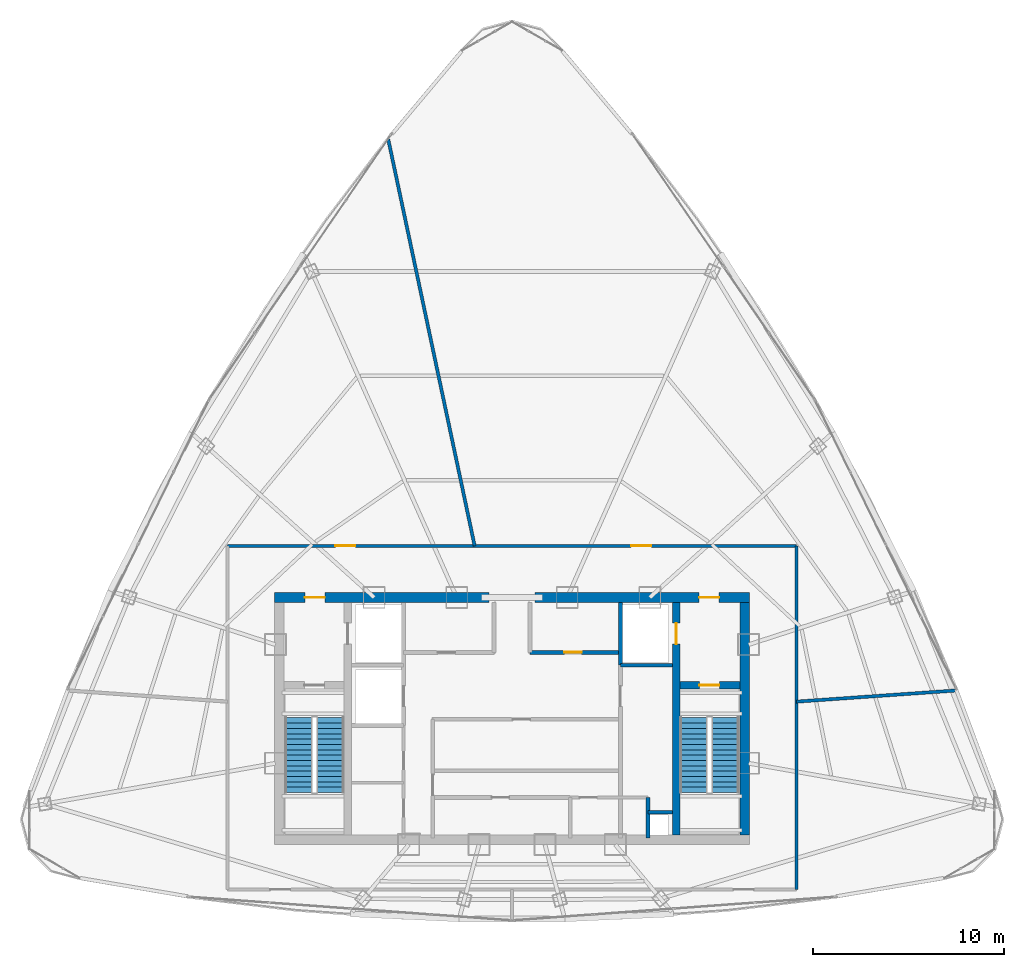
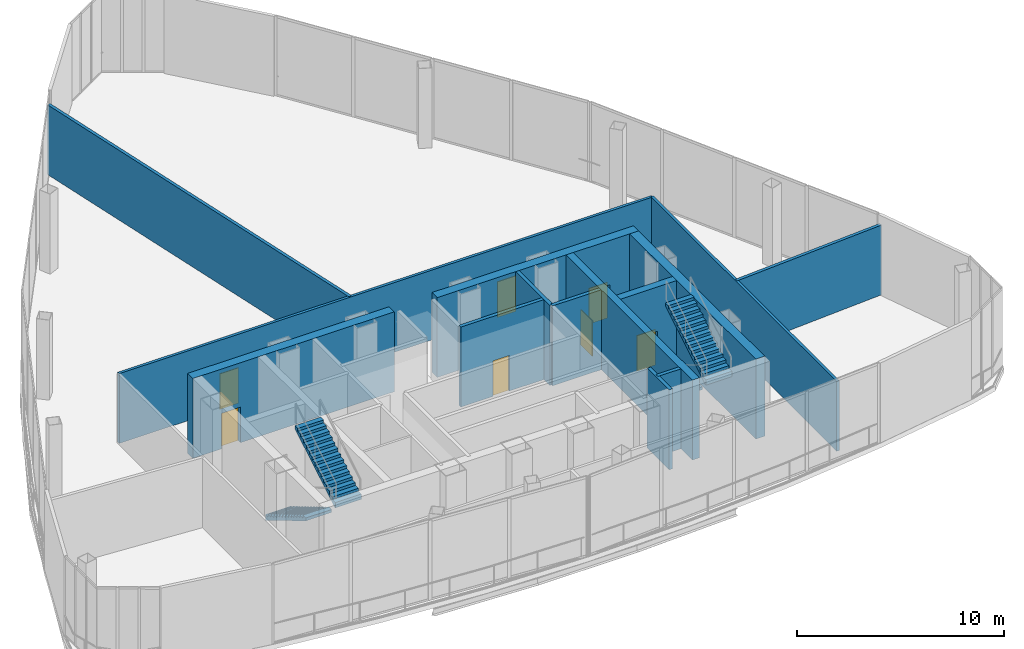
# One storey, part 30 of 33: 14 walls, 7 doors, 4 stair flights, 7 openings, 2 elements without a shape of their own.
"""IFC4 building model written with IfcOpenShell, lengths in metres."""

import ifcopenshell
import ifcopenshell.guid

model = None  # the IFC model being written
_history = None  # IfcOwnerHistory: only IFC2X3 demands one
_inside = {}  # id of a spatial element -> (the spatial element, [elements in it])
_under = {}  # id of a project, library or spatial element -> (it, [spatial elements below it])
_declared = {}  # id of a project -> (the project, [libraries it declares])
_typed = {}  # id of a type object -> (the type object, [elements of that type])
_made_of = {}  # id of a material, layer set ... -> (it, [elements and type objects made of it])


def new_model(schema):
    """Start an empty IFC model of exactly this schema.

    Asked for "IFC4X3", IfcOpenShell would pick the latest addendum, in which some entities
    have other attributes; the version numbers below select the first issue.
    IFC2X3 requires an IfcOwnerHistory on every rooted entity: one is made here for all.
    """
    global model, _history
    if schema == "IFC4X3":
        model = ifcopenshell.file(schema_version=(4, 3, 0, 0))
    else:
        model = ifcopenshell.file(schema=schema)
    _inside.clear()
    _under.clear()
    _declared.clear()
    _typed.clear()
    _made_of.clear()
    _history = None
    if model.schema == "IFC2X3":
        org = make("IfcOrganization", Name="unknown")
        user = make(
            "IfcPersonAndOrganization",
            ThePerson=make("IfcPerson", FamilyName="unknown"),
            TheOrganization=org,
        )
        app = make(
            "IfcApplication",
            ApplicationDeveloper=org,
            Version="unknown",
            ApplicationFullName="unknown",
            ApplicationIdentifier="unknown",
        )
        _history = make(
            "IfcOwnerHistory",
            OwningUser=user,
            OwningApplication=app,
            ChangeAction="ADDED",
            CreationDate=0,
        )
    return model


def make(cls, **values):
    """One entity of the class cls with the attributes given. An attribute that is None is left unset."""
    return model.create_entity(
        cls, **{name: value for name, value in values.items() if value is not None}
    )


def rooted(cls, **values):
    """An entity with a GlobalId (a new one), such as an element, a storey or a relation."""
    return make(cls, GlobalId=ifcopenshell.guid.new(), OwnerHistory=_history, **values)


def si_unit(unit_type, name, prefix=None):
    """IfcSIUnit, for example si_unit("LENGTHUNIT", "METRE", prefix="MILLI")."""
    return make("IfcSIUnit", UnitType=unit_type, Prefix=prefix, Name=name)


def assignment(units):
    """IfcUnitAssignment: the units of a project."""
    return None if units is None else make("IfcUnitAssignment", Units=units)


def point(xyz):
    """IfcCartesianPoint."""
    return None if xyz is None else make("IfcCartesianPoint", Coordinates=xyz)


def direction(xyz):
    """IfcDirection."""
    return None if xyz is None else make("IfcDirection", DirectionRatios=xyz)


def frame(location, z_axis=None, x_axis=None):
    """IfcAxis2Placement3D, a coordinate frame: its origin and axes. An axis left out is left unset."""
    return make(
        "IfcAxis2Placement3D",
        Location=point(location),
        Axis=direction(z_axis),
        RefDirection=direction(x_axis),
    )


def frame_2d(location, x_axis=None):
    """IfcAxis2Placement2D, a coordinate frame in the plane: its origin and x axis."""
    return make(
        "IfcAxis2Placement2D", Location=point(location), RefDirection=direction(x_axis)
    )


def origin():
    """The frame at (0, 0, 0) with its axes left unset."""
    return frame((0.0, 0.0, 0.0))


def origin_with_axes():
    """The frame at (0, 0, 0) with the z axis (0, 0, 1) and the x axis (1, 0, 0) written out."""
    return frame((0.0, 0.0, 0.0), z_axis=(0.0, 0.0, 1.0), x_axis=(1.0, 0.0, 0.0))


def place(relative_to, where):
    """IfcLocalPlacement: puts the frame where relative to a parent placement (None: the world)."""
    return make(
        "IfcLocalPlacement", PlacementRelTo=relative_to, RelativePlacement=where
    )


def context(
    kind, dimensions, precision=None, world=None, true_north=None, identifier=None
):
    """IfcGeometricRepresentationContext, for example the 3D "Model" context."""
    return make(
        "IfcGeometricRepresentationContext",
        ContextIdentifier=identifier,
        ContextType=kind,
        CoordinateSpaceDimension=dimensions,
        Precision=precision,
        WorldCoordinateSystem=world,
        TrueNorth=true_north,
    )


def subcontext(parent, identifier, kind, view, scale=None):
    """IfcGeometricRepresentationSubContext, for example "Body" below "Model"."""
    return make(
        "IfcGeometricRepresentationSubContext",
        ContextIdentifier=identifier,
        ContextType=kind,
        ParentContext=parent,
        TargetScale=scale,
        TargetView=view,
    )


def project(units=None, contexts=None):
    """IfcProject with its units and contexts."""
    return rooted(
        "IfcProject",
        Name="project",
        RepresentationContexts=contexts,
        UnitsInContext=assignment(units),
    )


def spatial(cls, under=None, at=None, **own):
    """A site, building, storey or space (cls), placed at a placement, below another one or the project."""
    s = rooted(cls, ObjectPlacement=at, **own)
    if under is not None:
        _under.setdefault(under.id(), (under, []))[1].append(s)
    return s


def polyline(points):
    """IfcPolyline through the points."""
    return make("IfcPolyline", Points=[point(p) for p in points])


def profile(cls, at=None, kind="AREA", **sizes):
    """A parametric profile (cls). Its sizes go by their IFC names, for example OverallWidth=200.0."""
    return make(cls, ProfileType=kind, Position=at, **sizes)


def rectangle(**sizes):
    """IfcRectangleProfileDef."""
    return profile("IfcRectangleProfileDef", **sizes)


def outline(outer, holes=None, kind="AREA"):
    """IfcArbitraryClosedProfileDef: a profile drawn as a closed curve; with holes, ...WithVoids."""
    if holes is None:
        return make("IfcArbitraryClosedProfileDef", ProfileType=kind, OuterCurve=outer)
    return make(
        "IfcArbitraryProfileDefWithVoids",
        ProfileType=kind,
        OuterCurve=outer,
        InnerCurves=holes,
    )


def extrude(swept, where, along, depth):
    """IfcExtrudedAreaSolid: the profile swept, set in the frame where, extruded along a direction by depth."""
    return make(
        "IfcExtrudedAreaSolid",
        SweptArea=swept,
        Position=where,
        ExtrudedDirection=direction(along),
        Depth=depth,
    )


def shape(context_of_items, identifier, shape_type, items):
    """IfcShapeRepresentation: the items that make up one representation, for example the "Body"."""
    return make(
        "IfcShapeRepresentation",
        ContextOfItems=context_of_items,
        RepresentationIdentifier=identifier,
        RepresentationType=shape_type,
        Items=items,
    )


def source(mapping_origin, context_of_items, identifier, shape_type, items):
    """IfcRepresentationMap: a shape defined once, which mapped items show again and again."""
    return make(
        "IfcRepresentationMap",
        MappingOrigin=mapping_origin,
        MappedRepresentation=shape(context_of_items, identifier, shape_type, items),
    )


def transform(
    local_origin,
    x_axis=None,
    y_axis=None,
    z_axis=None,
    scale=None,
    scale2=None,
    scale3=None,
    uniform=True,
):
    """IfcCartesianTransformationOperator3D, or its non-uniform kind. x_axis, y_axis, z_axis: its Axis1, 2, 3."""
    if uniform:
        return make(
            "IfcCartesianTransformationOperator3D",
            Axis1=direction(x_axis),
            Axis2=direction(y_axis),
            LocalOrigin=point(local_origin),
            Scale=scale,
            Axis3=direction(z_axis),
        )
    return make(
        "IfcCartesianTransformationOperator3DnonUniform",
        Axis1=direction(x_axis),
        Axis2=direction(y_axis),
        LocalOrigin=point(local_origin),
        Scale=scale,
        Axis3=direction(z_axis),
        Scale2=scale2,
        Scale3=scale3,
    )


def mapped(mapping_source, mapping_target):
    """IfcMappedItem: shows the shape of a source again, moved by a transform."""
    return make(
        "IfcMappedItem", MappingSource=mapping_source, MappingTarget=mapping_target
    )


def material(Name=None, Category=None):
    """IfcMaterial."""
    return make("IfcMaterial", Name=Name, Category=Category)


def layer(
    of_material, thickness, ventilated=None, Name=None, Category=None, Priority=None
):
    """IfcMaterialLayer: one layer of a wall or slab, of a material (None: an air gap)."""
    return make(
        "IfcMaterialLayer",
        Material=of_material,
        LayerThickness=thickness,
        IsVentilated=ventilated,
        Name=Name,
        Category=Category,
        Priority=Priority,
    )


def layer_set(layers, Name=None):
    """IfcMaterialLayerSet."""
    return make("IfcMaterialLayerSet", MaterialLayers=layers, LayerSetName=Name)


def made_of(thing, what):
    """Note that an element or type object is made of a material, layer set ...; save() writes the relation."""
    if what is not None:
        _made_of.setdefault(what.id(), (what, []))[1].append(thing)
    return thing


def type_object(cls, material=None, **own):
    """A type object (cls), such as IfcWallType, which elements share."""
    return made_of(rooted(cls, **own), material)


def element(
    cls,
    number,
    at=None,
    inside=None,
    cuts=None,
    type_object=None,
    material=None,
    context=None,
    identifier="Body",
    shape_type=None,
    held_by="IfcProductDefinitionShape",
    body=None,
    shapes=None,
    **own,
):
    """One element of the class cls, such as IfcWall. Its Tag is "e" and its number.

    at: its placement. inside: the storey or other place that contains it. cuts: it is an
    opening in that element (IfcRelVoidsElement). A single representation is given by context,
    identifier, shape_type and body (its items); several are given by shapes. held_by: the class
    of the entity that holds the representations. save() writes the other relations.
    """
    e = rooted(cls, Tag="e%d" % number, ObjectPlacement=at, **own)
    if body is not None:
        shapes = [shape(context, identifier, shape_type, body)]
    if shapes is not None:
        e.Representation = make(held_by, Representations=shapes)
    if inside is not None:
        _inside.setdefault(inside.id(), (inside, []))[1].append(e)
    if cuts is not None:
        rooted(
            "IfcRelVoidsElement", RelatingBuildingElement=cuts, RelatedOpeningElement=e
        )
    if type_object is not None:
        _typed.setdefault(type_object.id(), (type_object, []))[1].append(e)
    return made_of(e, material)


def fill(opening, filler):
    """IfcRelFillsElement: the door or window that sits in an opening."""
    return rooted(
        "IfcRelFillsElement",
        RelatingOpeningElement=opening,
        RelatedBuildingElement=filler,
    )


def aggregate(whole, parts):
    """IfcRelAggregates: a whole, such as a stair, and the parts it consists of."""
    return rooted("IfcRelAggregates", RelatingObject=whole, RelatedObjects=parts)


def save(model, path):
    """Write the relations noted so far, then the file.

    IfcRelAggregates (storeys below a building ...), IfcRelContainedInSpatialStructure (elements
    in a storey), IfcRelDefinesByType, IfcRelAssociatesMaterial and IfcRelDeclares: one each for
    every whole, place, type object, material and project.
    """
    for whole, parts in _under.values():
        aggregate(whole, parts)
    for where, things in _inside.values():
        rooted(
            "IfcRelContainedInSpatialStructure",
            RelatedElements=things,
            RelatingStructure=where,
        )
    for kind, things in _typed.values():
        rooted("IfcRelDefinesByType", RelatedObjects=things, RelatingType=kind)
    for what, things in _made_of.values():
        rooted("IfcRelAssociatesMaterial", RelatedObjects=things, RelatingMaterial=what)
    for by, libraries in _declared.values():
        rooted("IfcRelDeclares", RelatingContext=by, RelatedDefinitions=libraries)
    model.write(path)


model = new_model("IFC4")

# Units and contexts
model_context = context("Model", 3, precision=1e-05, world=origin(), true_north=direction((0.0, 1.0)))
body_context = subcontext(model_context, "Body", "Model", "MODEL_VIEW")
ifc_project = project(units=[si_unit("LENGTHUNIT", "METRE"), si_unit("AREAUNIT", "SQUARE_METRE"), si_unit("VOLUMEUNIT", "CUBIC_METRE"), si_unit("PLANEANGLEUNIT", "RADIAN"), si_unit("MASSUNIT", "GRAM", prefix="KILO"), si_unit("THERMODYNAMICTEMPERATUREUNIT", "KELVIN"), si_unit("POWERUNIT", "WATT")], contexts=[model_context])

# Site, building, storey
site_placement = place(None, origin())
site = spatial("IfcSite", under=ifc_project, at=site_placement, CompositionType="ELEMENT")
building_placement = place(site_placement, origin())
building = spatial("IfcBuilding", under=site, at=building_placement, Name="Yunzhuo Pagoda Commons", CompositionType="ELEMENT")
storey_placement = place(building_placement, frame((0.0, 0.0, 386.760009765625)))
storey = spatial("IfcBuildingStorey", under=building, at=storey_placement, Name="L96", CompositionType="ELEMENT", Elevation=386.760009765625)

# Wall, opening, door
ifc_material_1 = material(Name="Concrete C50", Category="concrete")
ifc_layer_1 = layer(ifc_material_1, 0.5)
ifc_layer_set_1 = layer_set([ifc_layer_1], Name="Concrete C50")
wall_type_1 = type_object("IfcWallType", Name="W-C03 Upper Core Shear Wall 500", PredefinedType="SHEAR", material=ifc_layer_set_1)
wall_1_placement = place(storey_placement, frame((35.550048828125, 40.199951171875, 0.0), z_axis=(0.0, 0.0, 1.0), x_axis=(1.0, 0.0, 0.0)))
wall_1 = element("IfcWall", 1, at=wall_1_placement, inside=storey, type_object=wall_type_1, Name="L96 core shear wall NW", PredefinedType="SHEAR", context=body_context, shape_type="SweptSolid", body=[
    extrude(rectangle(XDim=11.25, YDim=0.5, at=frame_2d((5.625, 0.0))), origin(), (0.0, 0.0, 1.0), 4.719970703125),
])
opening_1_placement = place(wall_1_placement, frame((1.60009765625, 0.0, 0.0)))
opening_1 = element("IfcOpeningElement", 2, at=opening_1_placement, cuts=wall_1, Name="Opening D-02", PredefinedType="OPENING", context=body_context, shape_type="SweptSolid", body=[
    extrude(rectangle(XDim=1.050048828125, YDim=2.10009765625, at=frame_2d((0.52490234375, 1.050048828125))), frame((0.0, 0.260009765625, 0.0), z_axis=(0.0, -1.0, 0.0), x_axis=(1.0, 0.0, 0.0)), (0.0, 0.0, 1.0), 0.52001953125),
])
ifc_material_2 = material(Name="Galvanized fire-resisting metal leaf")
door_type_1 = type_object("IfcDoorType", Name="D-02 Firefighting Lobby & Refuge Fire Door 1050x2100", OperationType="NOTDEFINED", PredefinedType="DOOR", material=ifc_material_2)
shared_shape_1 = source(origin(), body_context, "Body", "SweptSolid", [
    extrude(rectangle(XDim=1.050048828125, YDim=2.10009765625, at=frame_2d((0.52490234375, 1.050048828125))), frame((0.0, 0.02490234375, 0.0), z_axis=(0.0, -1.0, 0.0), x_axis=(1.0, 0.0, 0.0)), (0.0, 0.0, 1.0), 0.050048828125),
])
door_1_placement = place(opening_1_placement, frame((1.050048828125, 0.0, 0.0), z_axis=(0.0, 0.0, 1.0), x_axis=(-1.0, 0.0, 0.0)))
door_1 = element("IfcDoor", 3, at=door_1_placement, inside=storey, type_object=door_type_1, Name="L96 Firefighting Lobby 1 fire door", OperationType="SINGLE_SWING_LEFT", OverallHeight=2.10009765625, OverallWidth=1.050048828125, PredefinedType="DOOR", context=body_context, shape_type="MappedRepresentation", body=[
    mapped(shared_shape_1, transform((0.0, 0.0, 0.0), scale=1.0)),
])
fill(opening_1, door_1)

wall_2_placement = place(storey_placement, frame((49.199951171875, 40.199951171875, 0.0), z_axis=(0.0, 0.0, 1.0), x_axis=(1.0, 0.0, 0.0)))
wall_2 = element("IfcWall", 4, at=wall_2_placement, inside=storey, type_object=wall_type_1, Name="L96 core shear wall NE", PredefinedType="SHEAR", context=body_context, shape_type="SweptSolid", body=[
    extrude(rectangle(XDim=11.25, YDim=0.5, at=frame_2d((5.625, 0.0))), origin(), (0.0, 0.0, 1.0), 4.719970703125),
])
opening_2_placement = place(wall_2_placement, frame((8.60009765625, 0.0, 0.0)))
opening_2 = element("IfcOpeningElement", 5, at=opening_2_placement, cuts=wall_2, Name="Opening D-02", PredefinedType="OPENING", context=body_context, shape_type="SweptSolid", body=[
    extrude(rectangle(XDim=1.050048828125, YDim=2.10009765625, at=frame_2d((0.52490234375, 1.050048828125))), frame((0.0, 0.260009765625, 0.0), z_axis=(0.0, -1.0, 0.0), x_axis=(1.0, 0.0, 0.0)), (0.0, 0.0, 1.0), 0.52001953125),
])
door_2_placement = place(opening_2_placement, frame((1.050048828125, 0.0, 0.0), z_axis=(0.0, 0.0, 1.0), x_axis=(-1.0, 0.0, 0.0)))
door_2 = element("IfcDoor", 6, at=door_2_placement, inside=storey, type_object=door_type_1, Name="L96 Firefighting Lobby 2 fire door", OperationType="SINGLE_SWING_RIGHT", OverallHeight=2.10009765625, OverallWidth=1.050048828125, PredefinedType="DOOR", context=body_context, shape_type="MappedRepresentation", body=[
    mapped(shared_shape_1, transform((0.0, 0.0, 0.0), scale=1.0)),
])
fill(opening_2, door_2)

# Walls
wall_3_placement = place(storey_placement, frame((60.199951171875, 27.75, 0.0), z_axis=(0.0, 0.0, 1.0), x_axis=(0.0, 1.0, 0.0)))
element("IfcWall", 7, at=wall_3_placement, inside=storey, type_object=wall_type_1, Name="L96 core shear wall E", PredefinedType="SHEAR", context=body_context, shape_type="SweptSolid", body=[
    extrude(rectangle(XDim=12.199951171875, YDim=0.5, at=frame_2d((6.10009765625, 0.0))), origin(), (0.0, 0.0, 1.0), 4.719970703125),
])
ifc_material_3 = material(Name="Gypsum plasterboard on acoustic stud")
ifc_layer_2 = layer(ifc_material_3, 0.14990234375)
ifc_layer_set_2 = layer_set([ifc_layer_2], Name="Gypsum plasterboard on acoustic stud")
wall_type_2 = type_object("IfcWallType", Name="W-COR3 High-Zone Rated Corridor Wall 150", PredefinedType="PARTITIONING", material=ifc_layer_set_2)
wall_4_placement = place(storey_placement, frame((62.89990234375, 24.89990234375, 0.0), z_axis=(0.0, 0.0, 1.0), x_axis=(0.0, 1.0, 0.0)))
element("IfcWall", 8, at=wall_4_placement, inside=storey, type_object=wall_type_2, Name="L96 interior wall IW-L96-SCW02", PredefinedType="PARTITIONING", context=body_context, shape_type="SweptSolid", body=[
    extrude(rectangle(XDim=18.0, YDim=0.14990234375, at=frame_2d((9.0, 0.0))), origin(), (0.0, 0.0, 1.0), 4.119873046875),
])

# Wall, openings, doors
wall_5_placement = place(storey_placement, frame((62.89990234375, 42.89990234375, 0.0), z_axis=(0.0, 0.0, 1.0), x_axis=(-1.0, 0.0, 0.0)))
wall_5 = element("IfcWall", 9, at=wall_5_placement, inside=storey, type_object=wall_type_2, Name="L96 interior wall IW-L96-SCW03", PredefinedType="PARTITIONING", context=body_context, shape_type="SweptSolid", body=[
    extrude(rectangle(XDim=29.7998046875, YDim=0.14990234375, at=frame_2d((14.89990234375, 0.0))), origin(), (0.0, 0.0, 1.0), 4.119873046875),
])
opening_3_placement = place(wall_5_placement, frame((7.602783203125, 0.0, 0.0)))
opening_3 = element("IfcOpeningElement", 10, at=opening_3_placement, cuts=wall_5, Name="Opening D-02", PredefinedType="OPENING", context=body_context, shape_type="SweptSolid", body=[
    extrude(rectangle(XDim=1.050048828125, YDim=2.10009765625, at=frame_2d((0.52490234375, 1.050048828125))), frame((0.0, 0.0849609375, 0.0), z_axis=(0.0, -1.0, 0.0), x_axis=(1.0, 0.0, 0.0)), (0.0, 0.0, 1.0), 0.169921875),
])
opening_4_placement = place(wall_5_placement, frame((23.102783203125, 0.0, 0.0)))
opening_4 = element("IfcOpeningElement", 11, at=opening_4_placement, cuts=wall_5, Name="Opening D-02", PredefinedType="OPENING", context=body_context, shape_type="SweptSolid", body=[
    extrude(rectangle(XDim=1.050048828125, YDim=2.10009765625, at=frame_2d((0.52490234375, 1.050048828125))), frame((0.0, 0.0849609375, 0.0), z_axis=(0.0, -1.0, 0.0), x_axis=(1.0, 0.0, 0.0)), (0.0, 0.0, 1.0), 0.169921875),
])
door_3_placement = place(opening_3_placement, origin_with_axes())
door_3 = element("IfcDoor", 12, at=door_3_placement, inside=storey, type_object=door_type_1, Name="L96 Crown Centrifugal Chiller Plant door", OperationType="SINGLE_SWING_LEFT", OverallHeight=2.10009765625, OverallWidth=1.050048828125, PredefinedType="DOOR", context=body_context, shape_type="MappedRepresentation", body=[
    mapped(shared_shape_1, transform((0.0, 0.0, 0.0), scale=1.0)),
])
fill(opening_3, door_3)
door_4_placement = place(opening_4_placement, origin_with_axes())
door_4 = element("IfcDoor", 13, at=door_4_placement, inside=storey, type_object=door_type_1, Name="L96 Crown Acoustic Cooling Plant Room door", OperationType="SINGLE_SWING_RIGHT", OverallHeight=2.10009765625, OverallWidth=1.050048828125, PredefinedType="DOOR", context=body_context, shape_type="MappedRepresentation", body=[
    mapped(shared_shape_1, transform((0.0, 0.0, 0.0), scale=1.0)),
])
fill(opening_4, door_4)

# Walls
ifc_layer_3 = layer(ifc_material_3, 0.169921875)
ifc_layer_set_3 = layer_set([ifc_layer_3], Name="Gypsum plasterboard on acoustic stud")
wall_type_3 = type_object("IfcWallType", Name="W-PRT4 High-Zone Demising Wall 170", PredefinedType="PARTITIONING", material=ifc_layer_set_3)
wall_6_placement = place(storey_placement, frame((62.89990234375, 34.741943359375, 0.0), z_axis=(0.0, 0.0, 1.0), x_axis=(0.997563993403, 0.069757286835, 0.0)))
element("IfcWall", 14, at=wall_6_placement, inside=storey, type_object=wall_type_3, Name="L96 interior wall IW-L96-SRAD1", PredefinedType="PARTITIONING", context=body_context, shape_type="SweptSolid", body=[
    extrude(rectangle(XDim=8.420654296875, YDim=0.169921875, at=frame_2d((4.21044921875, 0.0))), origin(), (0.0, 0.0, 1.0), 4.119873046875),
])
wall_7_placement = place(storey_placement, frame((46.04443359375, 42.89990234375, 0.0), z_axis=(0.0, 0.0, 1.0), x_axis=(-0.207906465553, 0.978148711384, 0.0)))
element("IfcWall", 15, at=wall_7_placement, inside=storey, type_object=wall_type_3, Name="L96 interior wall IW-L96-SRAD2", PredefinedType="PARTITIONING", context=body_context, shape_type="SweptSolid", body=[
    extrude(rectangle(XDim=21.78759765625, YDim=0.169921875, at=frame_2d((10.893798828125, 0.0))), origin(), (0.0, 0.0, 1.0), 4.119873046875),
])

# Wall, opening, door
ifc_material_4 = material(Name="Concrete C60", Category="concrete")
ifc_layer_4 = layer(ifc_material_4, 0.39990234375)
ifc_layer_set_4 = layer_set([ifc_layer_4], Name="Concrete C60")
wall_type_4 = type_object("IfcWallType", Name="W-S01 Internal Core Shear Web 400", PredefinedType="SHEAR", material=ifc_layer_set_4)
wall_8_placement = place(storey_placement, frame((56.60009765625, 27.75, 0.0), z_axis=(0.0, 0.0, 1.0), x_axis=(0.0, 1.0, 0.0)))
wall_8 = element("IfcWall", 16, at=wall_8_placement, inside=storey, type_object=wall_type_4, Name="L96 core shear wall WEBE", PredefinedType="SHEAR", context=body_context, shape_type="SweptSolid", body=[
    extrude(rectangle(XDim=12.199951171875, YDim=0.39990234375, at=frame_2d((6.10009765625, 0.0))), origin(), (0.0, 0.0, 1.0), 4.719970703125),
])
opening_5_placement = place(wall_8_placement, frame((10.0, 0.0, 0.0)))
opening_5 = element("IfcOpeningElement", 17, at=opening_5_placement, cuts=wall_8, Name="Opening LD-01", PredefinedType="OPENING", context=body_context, shape_type="SweptSolid", body=[
    extrude(rectangle(XDim=1.10009765625, YDim=2.10009765625, at=frame_2d((0.550048828125, 1.050048828125))), frame((0.0, 0.2099609375, 0.0), z_axis=(0.0, -1.0, 0.0), x_axis=(1.0, 0.0, 0.0)), (0.0, 0.0, 1.0), 0.419921875),
])
door_type_2 = type_object("IfcDoorType", Name="LD-01 Firefighting Lift Landing Door 1100x2100", OperationType="DOUBLE_DOOR_SLIDING", PredefinedType="DOOR", material=ifc_material_2)
shared_shape_2 = source(origin(), body_context, "Body", "SweptSolid", [
    extrude(rectangle(XDim=1.10009765625, YDim=2.10009765625, at=frame_2d((0.550048828125, 1.050048828125))), frame((0.0, 0.02490234375, 0.0), z_axis=(0.0, -1.0, 0.0), x_axis=(1.0, 0.0, 0.0)), (0.0, 0.0, 1.0), 0.050048828125),
])
door_5_placement = place(opening_5_placement, origin_with_axes())
door_5 = element("IfcDoor", 18, at=door_5_placement, inside=storey, type_object=door_type_2, Name="L96 Firefighting lift FL-2 landing door", OperationType="DOUBLE_DOOR_SLIDING", OverallHeight=2.10009765625, OverallWidth=1.10009765625, PredefinedType="DOOR", context=body_context, shape_type="MappedRepresentation", body=[
    mapped(shared_shape_2, transform((0.0, 0.0, 0.0), scale=1.0)),
])
fill(opening_5, door_5)

wall_9_placement = place(storey_placement, frame((56.800048828125, 35.60009765625, 0.0), z_axis=(0.0, 0.0, 1.0), x_axis=(1.0, 0.0, 0.0)))
wall_9 = element("IfcWall", 19, at=wall_9_placement, inside=storey, type_object=wall_type_4, Name="L96 core shear wall STE", PredefinedType="SHEAR", context=body_context, shape_type="SweptSolid", body=[
    extrude(rectangle(XDim=3.14990234375, YDim=0.39990234375, at=frame_2d((1.574951171875, 0.0))), origin(), (0.0, 0.0, 1.0), 4.719970703125),
])
opening_6_placement = place(wall_9_placement, frame((1.02001953125, 0.0, 0.0)))
opening_6 = element("IfcOpeningElement", 20, at=opening_6_placement, cuts=wall_9, Name="Opening D-01", PredefinedType="OPENING", context=body_context, shape_type="SweptSolid", body=[
    extrude(rectangle(XDim=1.050048828125, YDim=2.10009765625, at=frame_2d((0.52490234375, 1.050048828125))), frame((0.0, 0.2099609375, 0.0), z_axis=(0.0, -1.0, 0.0), x_axis=(1.0, 0.0, 0.0)), (0.0, 0.0, 1.0), 0.419921875),
])
door_type_3 = type_object("IfcDoorType", Name="D-01 Smokeproof Stair Fire Door 1050x2100", OperationType="NOTDEFINED", PredefinedType="DOOR", material=ifc_material_2)
door_6_placement = place(opening_6_placement, frame((1.050048828125, 0.0, 0.0), z_axis=(0.0, 0.0, 1.0), x_axis=(-1.0, 0.0, 0.0)))
door_6 = element("IfcDoor", 21, at=door_6_placement, inside=storey, type_object=door_type_3, Name="L96 Stair ST2 fire door", OperationType="SINGLE_SWING_RIGHT", OverallHeight=2.10009765625, OverallWidth=1.050048828125, PredefinedType="DOOR", context=body_context, shape_type="MappedRepresentation", body=[
    mapped(shared_shape_1, transform((0.0, 0.0, 0.0), scale=1.0)),
])
fill(opening_6, door_6)

# Walls
ifc_material_5 = material(Name="Concrete C40", Category="concrete")
ifc_layer_5 = layer(ifc_material_5, 0.199951171875)
ifc_layer_set_5 = layer_set([ifc_layer_5], Name="Concrete C40")
wall_type_5 = type_object("IfcWallType", Name="W-SHF Shaft & Stair Enclosure Wall 200", PredefinedType="SOLIDWALL", material=ifc_layer_set_5)
wall_10_placement = place(storey_placement, frame((53.679931640625, 36.64990234375, 0.0), z_axis=(0.0, 0.0, 1.0), x_axis=(0.0, 1.0, 0.0)))
element("IfcWall", 22, at=wall_10_placement, inside=storey, type_object=wall_type_5, Name="L96 interior wall IW-L96-FL2W", PredefinedType="SOLIDWALL", context=body_context, shape_type="SweptSolid", body=[
    extrude(rectangle(XDim=3.300048828125, YDim=0.199951171875, at=frame_2d((1.64990234375, 0.0))), origin(), (0.0, 0.0, 1.0), 4.719970703125),
])
wall_11_placement = place(storey_placement, frame((53.679931640625, 36.64990234375, 0.0), z_axis=(0.0, 0.0, 1.0), x_axis=(1.0, 0.0, 0.0)))
element("IfcWall", 23, at=wall_11_placement, inside=storey, type_object=wall_type_5, Name="L96 interior wall IW-L96-FL2S", PredefinedType="SOLIDWALL", context=body_context, shape_type="SweptSolid", body=[
    extrude(rectangle(XDim=2.719970703125, YDim=0.199951171875, at=frame_2d((1.35986328125, 0.0))), origin(), (0.0, 0.0, 1.0), 4.719970703125),
])

# Wall, opening, door
wall_12_placement = place(storey_placement, frame((48.949951171875, 37.320068359375, 0.0), z_axis=(0.0, 0.0, 1.0), x_axis=(1.0, 0.0, 0.0)))
wall_12 = element("IfcWall", 24, at=wall_12_placement, inside=storey, type_object=wall_type_5, Name="L96 interior wall IW-L96-LBNE", PredefinedType="SOLIDWALL", context=body_context, shape_type="SweptSolid", body=[
    extrude(rectangle(XDim=4.72998046875, YDim=0.199951171875, at=frame_2d((2.364990234375, 0.0))), origin(), (0.0, 0.0, 1.0), 4.719970703125),
])
opening_7_placement = place(wall_12_placement, frame((1.800048828125, 0.0, 0.0)))
opening_7 = element("IfcOpeningElement", 25, at=opening_7_placement, cuts=wall_12, Name="Opening D-03", PredefinedType="OPENING", context=body_context, shape_type="SweptSolid", body=[
    extrude(rectangle(XDim=0.89990234375, YDim=2.10009765625, at=frame_2d((0.449951171875, 1.050048828125))), frame((0.0, 0.10986328125, 0.0), z_axis=(0.0, -1.0, 0.0), x_axis=(1.0, 0.0, 0.0)), (0.0, 0.0, 1.0), 0.219970703125),
])
door_type_4 = type_object("IfcDoorType", Name="D-03 Core Service Fire Door 900x2100", OperationType="NOTDEFINED", PredefinedType="DOOR", material=ifc_material_2)
shared_shape_3 = source(origin(), body_context, "Body", "SweptSolid", [
    extrude(rectangle(XDim=0.89990234375, YDim=2.10009765625, at=frame_2d((0.449951171875, 1.050048828125))), frame((0.0, 0.02490234375, 0.0), z_axis=(0.0, -1.0, 0.0), x_axis=(1.0, 0.0, 0.0)), (0.0, 0.0, 1.0), 0.050048828125),
])
door_7_placement = place(opening_7_placement, frame((0.89990234375, 0.0, 0.0), z_axis=(0.0, 0.0, 1.0), x_axis=(-1.0, 0.0, 0.0)))
door_7 = element("IfcDoor", 26, at=door_7_placement, inside=storey, type_object=door_type_4, Name="L96 core east store door", OperationType="SINGLE_SWING_RIGHT", OverallHeight=2.10009765625, OverallWidth=0.89990234375, PredefinedType="DOOR", context=body_context, shape_type="MappedRepresentation", body=[
    mapped(shared_shape_3, transform((0.0, 0.0, 0.0), scale=1.0)),
])
fill(opening_7, door_7)

# Walls
wall_13_placement = place(storey_placement, frame((55.1201171875, 27.60009765625, 0.0), z_axis=(0.0, 0.0, 1.0), x_axis=(0.0, 1.0, 0.0)))
element("IfcWall", 27, at=wall_13_placement, inside=storey, type_object=wall_type_5, Name="L96 interior wall IW-L96-RSHFW", PredefinedType="SOLIDWALL", context=body_context, shape_type="SweptSolid", body=[
    extrude(rectangle(XDim=2.119873046875, YDim=0.199951171875, at=frame_2d((1.06005859375, 0.0))), origin(), (0.0, 0.0, 1.0), 4.719970703125),
])
wall_14_placement = place(storey_placement, frame((55.1201171875, 28.949951171875, 0.0), z_axis=(0.0, 0.0, 1.0), x_axis=(1.0, 0.0, 0.0)))
element("IfcWall", 28, at=wall_14_placement, inside=storey, type_object=wall_type_5, Name="L96 interior wall IW-L96-RSHFN", PredefinedType="SOLIDWALL", context=body_context, shape_type="SweptSolid", body=[
    extrude(rectangle(XDim=1.27978515625, YDim=0.199951171875, at=frame_2d((0.639892578125, 0.0))), origin(), (0.0, 0.0, 1.0), 4.719970703125),
])

# Stair, stair flights
stair_type_1 = type_object("IfcStairType", Name="ST-C1 Core Smokeproof Stair ST1", PredefinedType="HALF_TURN_STAIR", material=ifc_material_5)
stair_1_placement = place(storey_placement, origin())
stair_1 = element("IfcStair", 29, at=stair_1_placement, inside=storey, type_object=stair_type_1, Name="L96 Core smokeproof stair ST1", PredefinedType="HALF_TURN_STAIR")
stair_flight_type_1 = type_object("IfcStairFlightType", Name="STF-C1 Core Stair Flight 1450", PredefinedType="STRAIGHT", material=ifc_material_5)
shared_shape_4 = source(origin(), body_context, "Body", "SweptSolid", [
    extrude(outline(polyline([(0.0, -0.14990234375), (0.0, 0.0), (0.0, 0.166748046875), (0.280029296875, 0.166748046875), (0.280029296875, 0.333251953125), (0.56005859375, 0.333251953125), (0.56005859375, 0.5), (0.840087890625, 0.5), (0.840087890625, 0.666748046875), (1.1201171875, 0.666748046875), (1.1201171875, 0.833251953125), (1.39990234375, 0.833251953125), (1.39990234375, 1.0), (1.679931640625, 1.0), (1.679931640625, 1.166748046875), (1.9599609375, 1.166748046875), (1.9599609375, 1.333251953125), (2.239990234375, 1.333251953125), (2.239990234375, 1.5), (2.52001953125, 1.5), (2.52001953125, 1.666748046875), (2.800048828125, 1.666748046875), (2.800048828125, 1.833251953125), (3.080078125, 1.833251953125), (3.080078125, 2.0), (3.360107421875, 2.0), (3.360107421875, 2.166748046875), (3.639892578125, 2.166748046875), (3.639892578125, 2.333251953125), (3.919921875, 2.333251953125), (3.919921875, 2.5), (3.919921875, 2.158935546875), (0.29296875, 0.0), (0.050048828125, -0.14990234375), (0.0, -0.14990234375)])), frame((0.0, 0.72509765625, 0.0), z_axis=(0.0, -1.0, 0.0), x_axis=(1.0, 0.0, 0.0)), (0.0, 0.0, 1.0), 1.449951171875),
])
stair_flight_1_placement = place(storey_placement, frame((36.824951171875, 33.89990234375, 0.0), z_axis=(0.0, 0.0, 1.0), x_axis=(0.0, -1.0, 0.0)))
stair_flight_1 = element("IfcStairFlight", 30, at=stair_flight_1_placement, type_object=stair_flight_type_1, Name="ST1 flight 1", NumberOfRisers=15, NumberOfTreads=14, PredefinedType="STRAIGHT", RiserHeight=0.166666667, TreadLength=0.28, context=body_context, shape_type="MappedRepresentation", body=[
    mapped(shared_shape_4, transform((0.0, 0.0, 0.0), scale=1.0)),
])
stair_flight_2_placement = place(storey_placement, frame((38.47509765625, 29.97998046875, 2.5), z_axis=(0.0, 0.0, 1.0), x_axis=(0.0, 1.0, 0.0)))
stair_flight_2 = element("IfcStairFlight", 31, at=stair_flight_2_placement, type_object=stair_flight_type_1, Name="ST1 flight 2", NumberOfRisers=15, NumberOfTreads=14, PredefinedType="STRAIGHT", RiserHeight=0.166666667, TreadLength=0.28, context=body_context, shape_type="MappedRepresentation", body=[
    mapped(shared_shape_4, transform((0.0, 0.0, 0.0), scale=1.0)),
])
aggregate(stair_1, [stair_flight_1, stair_flight_2])

stair_type_2 = type_object("IfcStairType", Name="ST-C2 Core Smokeproof Stair ST2", PredefinedType="HALF_TURN_STAIR", material=ifc_material_5)
stair_2_placement = place(storey_placement, origin())
stair_2 = element("IfcStair", 32, at=stair_2_placement, inside=storey, type_object=stair_type_2, Name="L96 Core smokeproof stair ST2", PredefinedType="HALF_TURN_STAIR")
stair_flight_type_2 = type_object("IfcStairFlightType", Name="STF-C2 Core Stair Flight 1460", PredefinedType="STRAIGHT", material=ifc_material_5)
stair_flight_3_placement = place(storey_placement, frame((57.52490234375, 33.89990234375, 0.0), z_axis=(0.0, 0.0, 1.0), x_axis=(0.0, -1.0, 0.0)))
stair_flight_3 = element("IfcStairFlight", 33, at=stair_flight_3_placement, type_object=stair_flight_type_2, Name="ST2 flight 1", NumberOfRisers=15, NumberOfTreads=14, PredefinedType="STRAIGHT", RiserHeight=0.166666667, TreadLength=0.28, context=body_context, shape_type="MappedRepresentation", body=[
    mapped(shared_shape_4, transform((0.0, 0.0, 0.0), scale=1.0)),
])
stair_flight_4_placement = place(storey_placement, frame((59.175048828125, 29.97998046875, 2.5), z_axis=(0.0, 0.0, 1.0), x_axis=(0.0, 1.0, 0.0)))
stair_flight_4 = element("IfcStairFlight", 34, at=stair_flight_4_placement, type_object=stair_flight_type_2, Name="ST2 flight 2", NumberOfRisers=15, NumberOfTreads=14, PredefinedType="STRAIGHT", RiserHeight=0.166666667, TreadLength=0.28, context=body_context, shape_type="MappedRepresentation", body=[
    mapped(shared_shape_4, transform((0.0, 0.0, 0.0), scale=1.0)),
])
aggregate(stair_2, [stair_flight_3, stair_flight_4])

save(model, "model.ifc")
